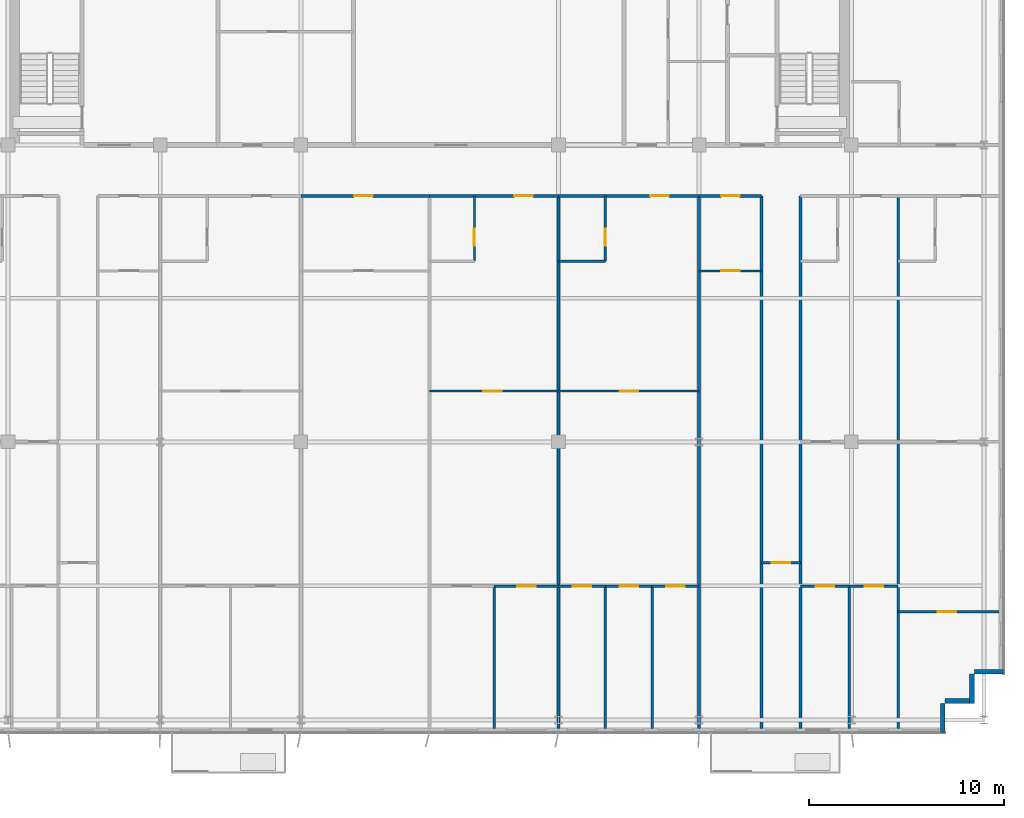
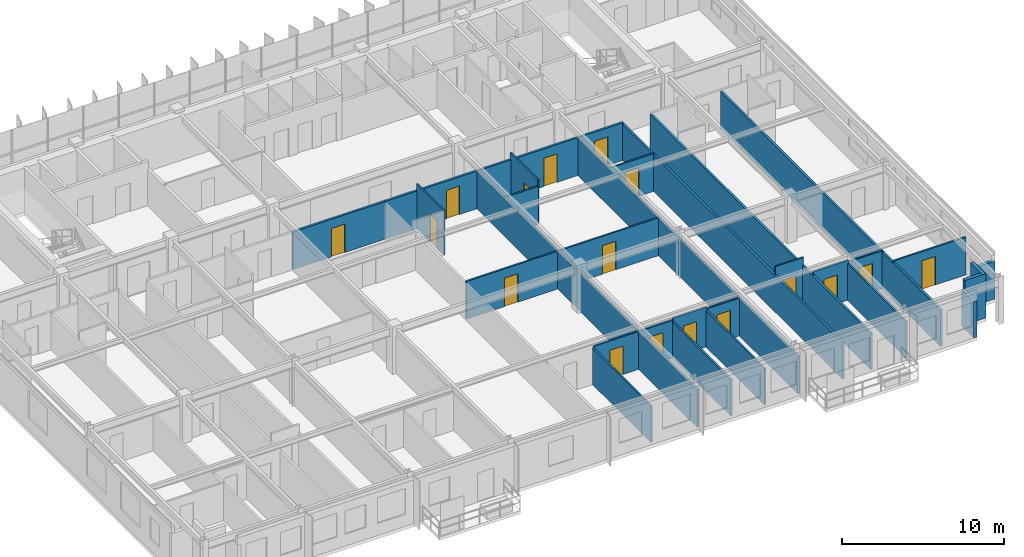
# One storey, part 16 of 21: 31 walls, 17 doors, 17 openings.
"""IFC4 building model written with IfcOpenShell, lengths in metres."""

from ifc_helpers import new_model, si_unit, direction, frame, frame_2d, origin, place, context, subcontext, project, spatial, rectangle, extrude, source, transform, mapped, material, layer, layer_set, type_object, element, fill, save


model = new_model("IFC4")

# Units and contexts
model_context = context("Model", 3, precision=1e-05, world=origin(), true_north=direction((0.0, 1.0)))
body_context = subcontext(model_context, "Body", "Model", "MODEL_VIEW")
ifc_project = project(units=[si_unit("LENGTHUNIT", "METRE"), si_unit("AREAUNIT", "SQUARE_METRE"), si_unit("VOLUMEUNIT", "CUBIC_METRE"), si_unit("PLANEANGLEUNIT", "RADIAN"), si_unit("MASSUNIT", "GRAM", prefix="KILO")], contexts=[model_context])

# Site, building, storey
site_placement = place(None, origin())
site = spatial("IfcSite", under=ifc_project, at=site_placement, CompositionType="ELEMENT")
building_placement = place(site_placement, origin())
building = spatial("IfcBuilding", under=site, at=building_placement, Name="Trelvane Seafront Commons", CompositionType="ELEMENT")
storey_placement = place(building_placement, frame((0.0, 0.0, 135.699951171875)))
storey = spatial("IfcBuildingStorey", under=building, at=storey_placement, Name="L35", CompositionType="ELEMENT", Elevation=135.699951171875)

# Walls
ifc_material_1 = material(Name="Precast concrete C40/50", Category="concrete")
ifc_layer_1 = layer(ifc_material_1, 0.239990234375, Name="ARCH-WALL-EXT240")
ifc_layer_set_1 = layer_set([ifc_layer_1], Name="Precast concrete C40/50")
wall_type_1 = type_object("IfcWallType", Name="ARCH-WALL-EXT240", PredefinedType="SOLIDWALL", material=ifc_layer_set_1)
wall_1_placement = place(storey_placement, frame((66.60009765625, 6.419921875, 0.0), z_axis=(0.0, 0.0, 1.0), x_axis=(-1.0, 0.0, 0.0)))
element("IfcWall", 1, at=wall_1_placement, inside=storey, type_object=wall_type_1, Name="EW-L35-00689", PredefinedType="SOLIDWALL", context=body_context, shape_type="SweptSolid", body=[
    extrude(rectangle(XDim=1.5, YDim=0.239990234375, at=frame_2d((0.75, 0.0))), origin(), (0.0, 0.0, 1.0), 2.85009765625),
])
for number, where, z_axis, x_axis, name in (
    (2, (64.97998046875, 6.300048828125, 0.0), (0.0, 0.0, 1.0), (0.0, -1.0, 0.0), "EW-L35-00690"),
    (3, (65.10009765625, 4.919921875, 0.0), (0.0, 0.0, 1.0), (-1.0, 0.0, 0.0), "EW-L35-00691"),
):
    element("IfcWall", number, at=place(storey_placement, frame(where, z_axis=z_axis, x_axis=x_axis)), inside=storey, type_object=wall_type_1, Name=name, PredefinedType="SOLIDWALL", context=body_context, shape_type="SweptSolid", body=[
        extrude(rectangle(XDim=1.5, YDim=0.239990234375, at=frame_2d((0.75, 0.0))), origin(), (0.0, 0.0, 1.0), 3.35009765625),
    ])
wall_2_placement = place(storey_placement, frame((63.47998046875, 4.800048828125, 0.0), z_axis=(0.0, 0.0, 1.0), x_axis=(0.0, -1.0, 0.0)))
element("IfcWall", 4, at=wall_2_placement, inside=storey, type_object=wall_type_1, Name="EW-L35-00692", PredefinedType="SOLIDWALL", context=body_context, shape_type="SweptSolid", body=[
    extrude(rectangle(XDim=1.5, YDim=0.239990234375, at=frame_2d((0.75, 0.0))), origin(), (0.0, 0.0, 1.0), 2.75),
])

# Wall, opening, door
ifc_material_2 = material(Name="Gypsum Drywall Acoustic Partition")
ifc_layer_2 = layer(ifc_material_2, 0.1201171875, Name="ARCH-WALL-PART120")
ifc_layer_set_2 = layer_set([ifc_layer_2], Name="Gypsum Drywall Acoustic Partition")
wall_type_2 = type_object("IfcWallType", Name="ARCH-WALL-PART120", PredefinedType="PARTITIONING", material=ifc_layer_set_2)
wall_3_placement = place(storey_placement, frame((37.199951171875, 20.800048828125, 0.0), z_axis=(0.0, 0.0, 1.0), x_axis=(1.0, 0.0, 0.0)))
wall_3 = element("IfcWall", 5, at=wall_3_placement, inside=storey, type_object=wall_type_2, Name="W-L35-U7-KL-084", PredefinedType="PARTITIONING", context=body_context, shape_type="SweptSolid", body=[
    extrude(rectangle(XDim=6.60009765625, YDim=0.1201171875, at=frame_2d((3.300048828125, 0.0))), origin(), (0.0, 0.0, 1.0), 2.85009765625),
])
opening_1_placement = place(wall_3_placement, frame((2.73388671875, 0.0, 0.0)))
opening_1 = element("IfcOpeningElement", 6, at=opening_1_placement, cuts=wall_3, Name="Opening D-L35-50", PredefinedType="OPENING", context=body_context, shape_type="SweptSolid", body=[
    extrude(rectangle(XDim=0.949951171875, YDim=2.14990234375, at=frame_2d((0.47509765625, 1.074951171875))), frame((0.0, 0.070068359375, 0.0), z_axis=(0.0, -1.0, 0.0), x_axis=(1.0, 0.0, 0.0)), (0.0, 0.0, 1.0), 0.14013671875),
])
ifc_material_3 = material(Name="Acoustic timber door leaf", Category="wood")
door_type_1 = type_object("IfcDoorType", Name="ARCH-DR-INT950", OperationType="NOTDEFINED", PredefinedType="DOOR", material=ifc_material_3)
shared_shape_1 = source(origin(), body_context, "Body", "SweptSolid", [
    extrude(rectangle(XDim=0.949951171875, YDim=2.14990234375, at=frame_2d((0.47509765625, 1.074951171875))), frame((0.0, 0.02490234375, 0.0), z_axis=(0.0, -1.0, 0.0), x_axis=(1.0, 0.0, 0.0)), (0.0, 0.0, 1.0), 0.050048828125),
])
door_1_placement = place(opening_1_placement, origin())
door_1 = element("IfcDoor", 7, at=door_1_placement, inside=storey, type_object=door_type_1, Name="L35 Door 50", OperationType="SINGLE_SWING_RIGHT", OverallHeight=2.14990234375, OverallWidth=0.949951171875, PredefinedType="DOOR", context=body_context, shape_type="MappedRepresentation", body=[
    mapped(shared_shape_1, transform((0.0, 0.0, 0.0), x_axis=(1.0, 0.0, 0.0), y_axis=(0.0, 1.0, 0.0), z_axis=(0.0, 0.0, 1.0), scale=1.0)),
])
fill(opening_1, door_1)

wall_4_placement = place(storey_placement, frame((39.493896484375, 27.449951171875, 0.0), z_axis=(0.0, 0.0, 1.0), x_axis=(0.0, 1.0, 0.0)))
wall_4 = element("IfcWall", 8, at=wall_4_placement, inside=storey, type_object=wall_type_2, Name="W-L35-U7-BE-085", PredefinedType="PARTITIONING", context=body_context, shape_type="SweptSolid", body=[
    extrude(rectangle(XDim=3.35009765625, YDim=0.1201171875, at=frame_2d((1.675048828125, 0.0))), origin(), (0.0, 0.0, 1.0), 3.35009765625),
])
opening_2_placement = place(wall_4_placement, frame((0.800048828125, 0.0, 0.0)))
opening_2 = element("IfcOpeningElement", 9, at=opening_2_placement, cuts=wall_4, Name="Opening D-L35-51", PredefinedType="OPENING", context=body_context, shape_type="SweptSolid", body=[
    extrude(rectangle(XDim=0.85009765625, YDim=2.10009765625, at=frame_2d((0.425048828125, 1.050048828125))), frame((0.0, 0.070068359375, 0.0), z_axis=(0.0, -1.0, 0.0), x_axis=(1.0, 0.0, 0.0)), (0.0, 0.0, 1.0), 0.14013671875),
])
door_type_2 = type_object("IfcDoorType", Name="ARCH-DR-INT850", OperationType="NOTDEFINED", PredefinedType="DOOR", material=ifc_material_3)
shared_shape_2 = source(origin(), body_context, "Body", "SweptSolid", [
    extrude(rectangle(XDim=0.85009765625, YDim=2.10009765625, at=frame_2d((0.425048828125, 1.050048828125))), frame((0.0, 0.02490234375, 0.0), z_axis=(0.0, -1.0, 0.0), x_axis=(1.0, 0.0, 0.0)), (0.0, 0.0, 1.0), 0.050048828125),
])
door_2_placement = place(opening_2_placement, origin())
door_2 = element("IfcDoor", 10, at=door_2_placement, inside=storey, type_object=door_type_2, Name="L35 Door 51", OperationType="SINGLE_SWING_LEFT", OverallHeight=2.10009765625, OverallWidth=0.85009765625, PredefinedType="DOOR", context=body_context, shape_type="MappedRepresentation", body=[
    mapped(shared_shape_2, transform((0.0, 0.0, 0.0), x_axis=(1.0, 0.0, 0.0), y_axis=(0.0, 1.0, 0.0), z_axis=(0.0, 0.0, 1.0), scale=1.0)),
])
fill(opening_2, door_2)

wall_5_placement = place(storey_placement, frame((40.5, 10.800048828125, 0.0), z_axis=(0.0, 0.0, 1.0), x_axis=(1.0, 0.0, 0.0)))
wall_5 = element("IfcWall", 11, at=wall_5_placement, inside=storey, type_object=wall_type_2, Name="W-L35-U7-YM-2-089", PredefinedType="PARTITIONING", context=body_context, shape_type="SweptSolid", body=[
    extrude(rectangle(XDim=3.300048828125, YDim=0.1201171875, at=frame_2d((1.64990234375, 0.0))), origin(), (0.0, 0.0, 1.0), 2.85009765625),
])
opening_3_placement = place(wall_5_placement, frame((1.175048828125, 0.0, 0.0)))
opening_3 = element("IfcOpeningElement", 12, at=opening_3_placement, cuts=wall_5, Name="Opening D-L35-54", PredefinedType="OPENING", context=body_context, shape_type="SweptSolid", body=[
    extrude(rectangle(XDim=0.949951171875, YDim=2.14990234375, at=frame_2d((0.47509765625, 1.074951171875))), frame((0.0, 0.070068359375, 0.0), z_axis=(0.0, -1.0, 0.0), x_axis=(1.0, 0.0, 0.0)), (0.0, 0.0, 1.0), 0.14013671875),
])
door_3_placement = place(opening_3_placement, origin())
door_3 = element("IfcDoor", 13, at=door_3_placement, inside=storey, type_object=door_type_1, Name="L35 Door 54", OperationType="SINGLE_SWING_RIGHT", OverallHeight=2.14990234375, OverallWidth=0.949951171875, PredefinedType="DOOR", context=body_context, shape_type="MappedRepresentation", body=[
    mapped(shared_shape_1, transform((0.0, 0.0, 0.0), x_axis=(1.0, 0.0, 0.0), y_axis=(0.0, 1.0, 0.0), z_axis=(0.0, 0.0, 1.0), scale=1.0)),
])
fill(opening_3, door_3)

# Wall
wall_6_placement = place(storey_placement, frame((40.5, 3.52490234375, 0.0), z_axis=(0.0, 0.0, 1.0), x_axis=(0.0, 1.0, 0.0)))
element("IfcWall", 14, at=wall_6_placement, inside=storey, type_object=wall_type_2, Name="W-L35-U7-BDV-1-090", PredefinedType="PARTITIONING", context=body_context, shape_type="SweptSolid", body=[
    extrude(rectangle(XDim=7.275146484375, YDim=0.1201171875, at=frame_2d((3.6376953125, 0.0))), origin(), (0.0, 0.0, 1.0), 2.75),
])

# Wall, opening, door
wall_7_placement = place(storey_placement, frame((43.800048828125, 20.800048828125, 0.0), z_axis=(0.0, 0.0, 1.0), x_axis=(1.0, 0.0, 0.0)))
wall_7 = element("IfcWall", 15, at=wall_7_placement, inside=storey, type_object=wall_type_2, Name="W-L35-U8-KL-091", PredefinedType="PARTITIONING", context=body_context, shape_type="SweptSolid", body=[
    extrude(rectangle(XDim=7.199951171875, YDim=0.1201171875, at=frame_2d((3.60009765625, 0.0))), origin(), (0.0, 0.0, 1.0), 2.85009765625),
])
opening_4_placement = place(wall_7_placement, frame((3.125, 0.0, 0.0)))
opening_4 = element("IfcOpeningElement", 16, at=opening_4_placement, cuts=wall_7, Name="Opening D-L35-55", PredefinedType="OPENING", context=body_context, shape_type="SweptSolid", body=[
    extrude(rectangle(XDim=0.949951171875, YDim=2.14990234375, at=frame_2d((0.47509765625, 1.074951171875))), frame((0.0, 0.070068359375, 0.0), z_axis=(0.0, -1.0, 0.0), x_axis=(1.0, 0.0, 0.0)), (0.0, 0.0, 1.0), 0.14013671875),
])
door_4_placement = place(opening_4_placement, origin())
door_4 = element("IfcDoor", 17, at=door_4_placement, inside=storey, type_object=door_type_1, Name="L35 Door 55", OperationType="SINGLE_SWING_LEFT", OverallHeight=2.14990234375, OverallWidth=0.949951171875, PredefinedType="DOOR", context=body_context, shape_type="MappedRepresentation", body=[
    mapped(shared_shape_1, transform((0.0, 0.0, 0.0), x_axis=(1.0, 0.0, 0.0), y_axis=(0.0, 1.0, 0.0), z_axis=(0.0, 0.0, 1.0), scale=1.0)),
])
fill(opening_4, door_4)

wall_8_placement = place(storey_placement, frame((46.199951171875, 27.449951171875, 0.0), z_axis=(0.0, 0.0, 1.0), x_axis=(0.0, 1.0, 0.0)))
wall_8 = element("IfcWall", 18, at=wall_8_placement, inside=storey, type_object=wall_type_2, Name="W-L35-U8-BE-092", PredefinedType="PARTITIONING", context=body_context, shape_type="SweptSolid", body=[
    extrude(rectangle(XDim=3.35009765625, YDim=0.1201171875, at=frame_2d((1.675048828125, 0.0))), origin(), (0.0, 0.0, 1.0), 3.35009765625),
])
opening_5_placement = place(wall_8_placement, frame((0.800048828125, 0.0, 0.0)))
opening_5 = element("IfcOpeningElement", 19, at=opening_5_placement, cuts=wall_8, Name="Opening D-L35-56", PredefinedType="OPENING", context=body_context, shape_type="SweptSolid", body=[
    extrude(rectangle(XDim=0.85009765625, YDim=2.10009765625, at=frame_2d((0.425048828125, 1.050048828125))), frame((0.0, 0.070068359375, 0.0), z_axis=(0.0, -1.0, 0.0), x_axis=(1.0, 0.0, 0.0)), (0.0, 0.0, 1.0), 0.14013671875),
])
door_5_placement = place(opening_5_placement, origin())
door_5 = element("IfcDoor", 20, at=door_5_placement, inside=storey, type_object=door_type_2, Name="L35 Door 56", OperationType="SINGLE_SWING_RIGHT", OverallHeight=2.10009765625, OverallWidth=0.85009765625, PredefinedType="DOOR", context=body_context, shape_type="MappedRepresentation", body=[
    mapped(shared_shape_2, transform((0.0, 0.0, 0.0), x_axis=(1.0, 0.0, 0.0), y_axis=(0.0, 1.0, 0.0), z_axis=(0.0, 0.0, 1.0), scale=1.0)),
])
fill(opening_5, door_5)

# Wall
wall_9_placement = place(storey_placement, frame((43.800048828125, 27.449951171875, 0.0), z_axis=(0.0, 0.0, 1.0), x_axis=(1.0, 0.0, 0.0)))
element("IfcWall", 21, at=wall_9_placement, inside=storey, type_object=wall_type_2, Name="W-L35-U8-BS-093", PredefinedType="PARTITIONING", context=body_context, shape_type="SweptSolid", body=[
    extrude(rectangle(XDim=2.39990234375, YDim=0.1201171875, at=frame_2d((1.199951171875, 0.0))), origin(), (0.0, 0.0, 1.0), 2.85009765625),
])

# Wall, opening, door
wall_10_placement = place(storey_placement, frame((43.800048828125, 10.800048828125, 0.0), z_axis=(0.0, 0.0, 1.0), x_axis=(1.0, 0.0, 0.0)))
wall_10 = element("IfcWall", 22, at=wall_10_placement, inside=storey, type_object=wall_type_2, Name="W-L35-U8-YM-1-095", PredefinedType="PARTITIONING", context=body_context, shape_type="SweptSolid", body=[
    extrude(rectangle(XDim=2.39990234375, YDim=0.1201171875, at=frame_2d((1.199951171875, 0.0))), origin(), (0.0, 0.0, 1.0), 2.85009765625),
])
opening_6_placement = place(wall_10_placement, frame((0.72509765625, 0.0, 0.0)))
opening_6 = element("IfcOpeningElement", 23, at=opening_6_placement, cuts=wall_10, Name="Opening D-L35-58", PredefinedType="OPENING", context=body_context, shape_type="SweptSolid", body=[
    extrude(rectangle(XDim=0.949951171875, YDim=2.14990234375, at=frame_2d((0.47509765625, 1.074951171875))), frame((0.0, 0.070068359375, 0.0), z_axis=(0.0, -1.0, 0.0), x_axis=(1.0, 0.0, 0.0)), (0.0, 0.0, 1.0), 0.14013671875),
])
door_6_placement = place(opening_6_placement, origin())
door_6 = element("IfcDoor", 24, at=door_6_placement, inside=storey, type_object=door_type_1, Name="L35 Door 58", OperationType="SINGLE_SWING_RIGHT", OverallHeight=2.14990234375, OverallWidth=0.949951171875, PredefinedType="DOOR", context=body_context, shape_type="MappedRepresentation", body=[
    mapped(shared_shape_1, transform((0.0, 0.0, 0.0), x_axis=(1.0, 0.0, 0.0), y_axis=(0.0, 1.0, 0.0), z_axis=(0.0, 0.0, 1.0), scale=1.0)),
])
fill(opening_6, door_6)

wall_11_placement = place(storey_placement, frame((46.199951171875, 10.800048828125, 0.0), z_axis=(0.0, 0.0, 1.0), x_axis=(1.0, 0.0, 0.0)))
wall_11 = element("IfcWall", 25, at=wall_11_placement, inside=storey, type_object=wall_type_2, Name="W-L35-U8-YM-2-096", PredefinedType="PARTITIONING", context=body_context, shape_type="SweptSolid", body=[
    extrude(rectangle(XDim=2.400146484375, YDim=0.1201171875, at=frame_2d((1.2001953125, 0.0))), origin(), (0.0, 0.0, 1.0), 3.0),
])
opening_7_placement = place(wall_11_placement, frame((0.72509765625, 0.0, 0.0)))
opening_7 = element("IfcOpeningElement", 26, at=opening_7_placement, cuts=wall_11, Name="Opening D-L35-59", PredefinedType="OPENING", context=body_context, shape_type="SweptSolid", body=[
    extrude(rectangle(XDim=0.949951171875, YDim=2.14990234375, at=frame_2d((0.47509765625, 1.074951171875))), frame((0.0, 0.070068359375, 0.0), z_axis=(0.0, -1.0, 0.0), x_axis=(1.0, 0.0, 0.0)), (0.0, 0.0, 1.0), 0.14013671875),
])
door_7_placement = place(opening_7_placement, origin())
door_7 = element("IfcDoor", 27, at=door_7_placement, inside=storey, type_object=door_type_1, Name="L35 Door 59", OperationType="SINGLE_SWING_LEFT", OverallHeight=2.14990234375, OverallWidth=0.949951171875, PredefinedType="DOOR", context=body_context, shape_type="MappedRepresentation", body=[
    mapped(shared_shape_1, transform((0.0, 0.0, 0.0), x_axis=(1.0, 0.0, 0.0), y_axis=(0.0, 1.0, 0.0), z_axis=(0.0, 0.0, 1.0), scale=1.0)),
])
fill(opening_7, door_7)

# Wall
wall_12_placement = place(storey_placement, frame((46.199951171875, 3.52490234375, 0.0), z_axis=(0.0, 0.0, 1.0), x_axis=(0.0, 1.0, 0.0)))
element("IfcWall", 28, at=wall_12_placement, inside=storey, type_object=wall_type_2, Name="W-L35-U8-BDV-1-097", PredefinedType="PARTITIONING", context=body_context, shape_type="SweptSolid", body=[
    extrude(rectangle(XDim=7.275146484375, YDim=0.1201171875, at=frame_2d((3.6376953125, 0.0))), origin(), (0.0, 0.0, 1.0), 2.75),
])

# Wall, opening, door
wall_13_placement = place(storey_placement, frame((48.60009765625, 10.800048828125, 0.0), z_axis=(0.0, 0.0, 1.0), x_axis=(1.0, 0.0, 0.0)))
wall_13 = element("IfcWall", 29, at=wall_13_placement, inside=storey, type_object=wall_type_2, Name="W-L35-U8-YM-3-098", PredefinedType="PARTITIONING", context=body_context, shape_type="SweptSolid", body=[
    extrude(rectangle(XDim=2.39990234375, YDim=0.1201171875, at=frame_2d((1.199951171875, 0.0))), origin(), (0.0, 0.0, 1.0), 2.85009765625),
])
opening_8_placement = place(wall_13_placement, frame((0.72509765625, 0.0, 0.0)))
opening_8 = element("IfcOpeningElement", 30, at=opening_8_placement, cuts=wall_13, Name="Opening D-L35-60", PredefinedType="OPENING", context=body_context, shape_type="SweptSolid", body=[
    extrude(rectangle(XDim=0.949951171875, YDim=2.14990234375, at=frame_2d((0.47509765625, 1.074951171875))), frame((0.0, 0.070068359375, 0.0), z_axis=(0.0, -1.0, 0.0), x_axis=(1.0, 0.0, 0.0)), (0.0, 0.0, 1.0), 0.14013671875),
])
door_8_placement = place(opening_8_placement, origin())
door_8 = element("IfcDoor", 31, at=door_8_placement, inside=storey, type_object=door_type_1, Name="L35 Door 60", OperationType="SINGLE_SWING_RIGHT", OverallHeight=2.14990234375, OverallWidth=0.949951171875, PredefinedType="DOOR", context=body_context, shape_type="MappedRepresentation", body=[
    mapped(shared_shape_1, transform((0.0, 0.0, 0.0), x_axis=(1.0, 0.0, 0.0), y_axis=(0.0, 1.0, 0.0), z_axis=(0.0, 0.0, 1.0), scale=1.0)),
])
fill(opening_8, door_8)

# Wall
wall_14_placement = place(storey_placement, frame((48.60009765625, 3.52490234375, 0.0), z_axis=(0.0, 0.0, 1.0), x_axis=(0.0, 1.0, 0.0)))
element("IfcWall", 32, at=wall_14_placement, inside=storey, type_object=wall_type_2, Name="W-L35-U8-BDV-2-099", PredefinedType="PARTITIONING", context=body_context, shape_type="SweptSolid", body=[
    extrude(rectangle(XDim=7.275146484375, YDim=0.1201171875, at=frame_2d((3.6376953125, 0.0))), origin(), (0.0, 0.0, 1.0), 2.75),
])

# Wall, opening, door
wall_15_placement = place(storey_placement, frame((51.0, 26.949951171875, 0.0), z_axis=(0.0, 0.0, 1.0), x_axis=(1.0, 0.0, 0.0)))
wall_15 = element("IfcWall", 33, at=wall_15_placement, inside=storey, type_object=wall_type_2, Name="W-L35-U9-DIV-101", PredefinedType="PARTITIONING", context=body_context, shape_type="SweptSolid", body=[
    extrude(rectangle(XDim=3.199951171875, YDim=0.1201171875, at=frame_2d((1.60009765625, 0.0))), origin(), (0.0, 0.0, 1.0), 2.85009765625),
])
opening_9_placement = place(wall_15_placement, frame((1.125, 0.0, 0.0)))
opening_9 = element("IfcOpeningElement", 34, at=opening_9_placement, cuts=wall_15, Name="Opening D-L35-62", PredefinedType="OPENING", context=body_context, shape_type="SweptSolid", body=[
    extrude(rectangle(XDim=0.949951171875, YDim=2.14990234375, at=frame_2d((0.47509765625, 1.074951171875))), frame((0.0, 0.070068359375, 0.0), z_axis=(0.0, -1.0, 0.0), x_axis=(1.0, 0.0, 0.0)), (0.0, 0.0, 1.0), 0.14013671875),
])
door_9_placement = place(opening_9_placement, origin())
door_9 = element("IfcDoor", 35, at=door_9_placement, inside=storey, type_object=door_type_1, Name="L35 Door 62", OperationType="SINGLE_SWING_RIGHT", OverallHeight=2.14990234375, OverallWidth=0.949951171875, PredefinedType="DOOR", context=body_context, shape_type="MappedRepresentation", body=[
    mapped(shared_shape_1, transform((0.0, 0.0, 0.0), x_axis=(1.0, 0.0, 0.0), y_axis=(0.0, 1.0, 0.0), z_axis=(0.0, 0.0, 1.0), scale=1.0)),
])
fill(opening_9, door_9)

wall_16_placement = place(storey_placement, frame((54.199951171875, 12.0, 0.0), z_axis=(0.0, 0.0, 1.0), x_axis=(1.0, 0.0, 0.0)))
wall_16 = element("IfcWall", 36, at=wall_16_placement, inside=storey, type_object=wall_type_2, Name="W-L35-ARM-END-10-104", PredefinedType="PARTITIONING", context=body_context, shape_type="SweptSolid", body=[
    extrude(rectangle(XDim=2.0, YDim=0.1201171875, at=frame_2d((1.0, 0.0))), origin(), (0.0, 0.0, 1.0), 3.35009765625),
])
opening_10_placement = place(wall_16_placement, frame((0.52001953125, 0.0, 0.0)))
opening_10 = element("IfcOpeningElement", 37, at=opening_10_placement, cuts=wall_16, Name="Opening D-L35-63", PredefinedType="OPENING", context=body_context, shape_type="SweptSolid", body=[
    extrude(rectangle(XDim=0.949951171875, YDim=2.14990234375, at=frame_2d((0.47509765625, 1.074951171875))), frame((0.0, 0.070068359375, 0.0), z_axis=(0.0, -1.0, 0.0), x_axis=(1.0, 0.0, 0.0)), (0.0, 0.0, 1.0), 0.14013671875),
])
door_10_placement = place(opening_10_placement, origin())
door_10 = element("IfcDoor", 38, at=door_10_placement, inside=storey, type_object=door_type_1, Name="L35 Door 63", OperationType="SINGLE_SWING_LEFT", OverallHeight=2.14990234375, OverallWidth=0.949951171875, PredefinedType="DOOR", context=body_context, shape_type="MappedRepresentation", body=[
    mapped(shared_shape_1, transform((0.0, 0.0, 0.0), x_axis=(1.0, 0.0, 0.0), y_axis=(0.0, 1.0, 0.0), z_axis=(0.0, 0.0, 1.0), scale=1.0)),
])
fill(opening_10, door_10)

wall_17_placement = place(storey_placement, frame((56.199951171875, 10.800048828125, 0.0), z_axis=(0.0, 0.0, 1.0), x_axis=(1.0, 0.0, 0.0)))
wall_17 = element("IfcWall", 39, at=wall_17_placement, inside=storey, type_object=wall_type_2, Name="W-L35-U11-YM-1-109", PredefinedType="PARTITIONING", context=body_context, shape_type="SweptSolid", body=[
    extrude(rectangle(XDim=2.5, YDim=0.1201171875, at=frame_2d((1.25, 0.0))), origin(), (0.0, 0.0, 1.0), 3.0),
])
opening_11_placement = place(wall_17_placement, frame((0.77490234375, 0.0, 0.0)))
opening_11 = element("IfcOpeningElement", 40, at=opening_11_placement, cuts=wall_17, Name="Opening D-L35-67", PredefinedType="OPENING", context=body_context, shape_type="SweptSolid", body=[
    extrude(rectangle(XDim=0.949951171875, YDim=2.14990234375, at=frame_2d((0.47509765625, 1.074951171875))), frame((0.0, 0.070068359375, 0.0), z_axis=(0.0, -1.0, 0.0), x_axis=(1.0, 0.0, 0.0)), (0.0, 0.0, 1.0), 0.14013671875),
])
door_11_placement = place(opening_11_placement, origin())
door_11 = element("IfcDoor", 41, at=door_11_placement, inside=storey, type_object=door_type_1, Name="L35 Door 67", OperationType="SINGLE_SWING_LEFT", OverallHeight=2.14990234375, OverallWidth=0.949951171875, PredefinedType="DOOR", context=body_context, shape_type="MappedRepresentation", body=[
    mapped(shared_shape_1, transform((0.0, 0.0, 0.0), x_axis=(1.0, 0.0, 0.0), y_axis=(0.0, 1.0, 0.0), z_axis=(0.0, 0.0, 1.0), scale=1.0)),
])
fill(opening_11, door_11)

wall_18_placement = place(storey_placement, frame((58.699951171875, 10.800048828125, 0.0), z_axis=(0.0, 0.0, 1.0), x_axis=(1.0, 0.0, 0.0)))
wall_18 = element("IfcWall", 42, at=wall_18_placement, inside=storey, type_object=wall_type_2, Name="W-L35-U11-YM-2-110", PredefinedType="PARTITIONING", context=body_context, shape_type="SweptSolid", body=[
    extrude(rectangle(XDim=2.5, YDim=0.1201171875, at=frame_2d((1.25, 0.0))), origin(), (0.0, 0.0, 1.0), 2.85009765625),
])
opening_12_placement = place(wall_18_placement, frame((0.77490234375, 0.0, 0.0)))
opening_12 = element("IfcOpeningElement", 43, at=opening_12_placement, cuts=wall_18, Name="Opening D-L35-68", PredefinedType="OPENING", context=body_context, shape_type="SweptSolid", body=[
    extrude(rectangle(XDim=0.949951171875, YDim=2.14990234375, at=frame_2d((0.47509765625, 1.074951171875))), frame((0.0, 0.070068359375, 0.0), z_axis=(0.0, -1.0, 0.0), x_axis=(1.0, 0.0, 0.0)), (0.0, 0.0, 1.0), 0.14013671875),
])
door_12_placement = place(opening_12_placement, origin())
door_12 = element("IfcDoor", 44, at=door_12_placement, inside=storey, type_object=door_type_1, Name="L35 Door 68", OperationType="SINGLE_SWING_RIGHT", OverallHeight=2.14990234375, OverallWidth=0.949951171875, PredefinedType="DOOR", context=body_context, shape_type="MappedRepresentation", body=[
    mapped(shared_shape_1, transform((0.0, 0.0, 0.0), x_axis=(1.0, 0.0, 0.0), y_axis=(0.0, 1.0, 0.0), z_axis=(0.0, 0.0, 1.0), scale=1.0)),
])
fill(opening_12, door_12)

# Wall
wall_19_placement = place(storey_placement, frame((58.699951171875, 3.52490234375, 0.0), z_axis=(0.0, 0.0, 1.0), x_axis=(0.0, 1.0, 0.0)))
element("IfcWall", 45, at=wall_19_placement, inside=storey, type_object=wall_type_2, Name="W-L35-U11-BDV-1-111", PredefinedType="PARTITIONING", context=body_context, shape_type="SweptSolid", body=[
    extrude(rectangle(XDim=7.275146484375, YDim=0.1201171875, at=frame_2d((3.6376953125, 0.0))), origin(), (0.0, 0.0, 1.0), 2.75),
])

# Wall, opening, door
wall_20_placement = place(storey_placement, frame((61.199951171875, 9.5, 0.0), z_axis=(0.0, 0.0, 1.0), x_axis=(1.0, 0.0, 0.0)))
wall_20 = element("IfcWall", 46, at=wall_20_placement, inside=storey, type_object=wall_type_2, Name="W-L35-U12-YM-1-116", PredefinedType="PARTITIONING", context=body_context, shape_type="SweptSolid", body=[
    extrude(rectangle(XDim=5.16015625, YDim=0.1201171875, at=frame_2d((2.580078125, 0.0))), origin(), (0.0, 0.0, 1.0), 2.85009765625),
])
opening_13_placement = place(wall_20_placement, frame((2.013916015625, 0.0, 0.0)))
opening_13 = element("IfcOpeningElement", 47, at=opening_13_placement, cuts=wall_20, Name="Opening D-L35-72", PredefinedType="OPENING", context=body_context, shape_type="SweptSolid", body=[
    extrude(rectangle(XDim=0.949951171875, YDim=2.14990234375, at=frame_2d((0.47509765625, 1.074951171875))), frame((0.0, 0.070068359375, 0.0), z_axis=(0.0, -1.0, 0.0), x_axis=(1.0, 0.0, 0.0)), (0.0, 0.0, 1.0), 0.14013671875),
])
door_13_placement = place(opening_13_placement, origin())
door_13 = element("IfcDoor", 48, at=door_13_placement, inside=storey, type_object=door_type_1, Name="L35 Door 72", OperationType="SINGLE_SWING_RIGHT", OverallHeight=2.14990234375, OverallWidth=0.949951171875, PredefinedType="DOOR", context=body_context, shape_type="MappedRepresentation", body=[
    mapped(shared_shape_1, transform((0.0, 0.0, 0.0), x_axis=(1.0, 0.0, 0.0), y_axis=(0.0, 1.0, 0.0), z_axis=(0.0, 0.0, 1.0), scale=1.0)),
])
fill(opening_13, door_13)

# Walls
ifc_layer_3 = layer(ifc_material_2, 0.14990234375, Name="ARCH-WALL-PART150")
ifc_layer_set_3 = layer_set([ifc_layer_3], Name="Gypsum Drywall Acoustic Partition")
wall_type_3 = type_object("IfcWallType", Name="ARCH-WALL-PART150", PredefinedType="PARTITIONING", material=ifc_layer_set_3)
for number, where, z_axis, x_axis, name in (
    (49, (43.800048828125, 3.52490234375, 0.0), (0.0, 0.0, 1.0), (0.0, 1.0, 0.0), "W-L35-PW-7-055"),
    (50, (51.0, 3.52490234375, 0.0), (0.0, 0.0, 1.0), (0.0, 1.0, 0.0), "W-L35-PW-8-056"),
):
    element("IfcWall", number, at=place(storey_placement, frame(where, z_axis=z_axis, x_axis=x_axis)), inside=storey, type_object=wall_type_3, Name=name, PredefinedType="PARTITIONING", context=body_context, shape_type="SweptSolid", body=[
        extrude(rectangle(XDim=27.275146484375, YDim=0.14990234375, at=frame_2d((13.6376953125, 0.0))), origin(), (0.0, 0.0, 1.0), 2.85009765625),
    ])
wall_21_placement = place(storey_placement, frame((61.199951171875, 3.52490234375, 0.0), z_axis=(0.0, 0.0, 1.0), x_axis=(0.0, 1.0, 0.0)))
element("IfcWall", 51, at=wall_21_placement, inside=storey, type_object=wall_type_3, Name="W-L35-PW-11-057", PredefinedType="PARTITIONING", context=body_context, shape_type="SweptSolid", body=[
    extrude(rectangle(XDim=27.275146484375, YDim=0.14990234375, at=frame_2d((13.6376953125, 0.0))), origin(), (0.0, 0.0, 1.0), 2.75),
])

# Wall, opening, door
wall_22_placement = place(storey_placement, frame((30.60009765625, 30.800048828125, 0.0), z_axis=(0.0, 0.0, 1.0), x_axis=(1.0, 0.0, 0.0)))
wall_22 = element("IfcWall", 52, at=wall_22_placement, inside=storey, type_object=wall_type_3, Name="W-L35-CS-BAY-6-082", PredefinedType="PARTITIONING", context=body_context, shape_type="SweptSolid", body=[
    extrude(rectangle(XDim=6.599853515625, YDim=0.14990234375, at=frame_2d((3.2998046875, 0.0))), origin(), (0.0, 0.0, 1.0), 2.85009765625),
])
opening_14_placement = place(wall_22_placement, frame((2.73388671875, 0.0, 0.0)))
opening_14 = element("IfcOpeningElement", 53, at=opening_14_placement, cuts=wall_22, Name="Opening FD-L35-48", PredefinedType="OPENING", context=body_context, shape_type="SweptSolid", body=[
    extrude(rectangle(XDim=0.949951171875, YDim=2.14990234375, at=frame_2d((0.47509765625, 1.074951171875))), frame((0.0, 0.0849609375, 0.0), z_axis=(0.0, -1.0, 0.0), x_axis=(1.0, 0.0, 0.0)), (0.0, 0.0, 1.0), 0.169921875),
])
ifc_material_4 = material(Name="Powder-coated aluminium frame", Category="aluminium")
door_type_3 = type_object("IfcDoorType", Name="ARCH-DR-FD60-950", OperationType="NOTDEFINED", PredefinedType="DOOR", material=ifc_material_4)
door_14_placement = place(opening_14_placement, origin())
door_14 = element("IfcDoor", 54, at=door_14_placement, inside=storey, type_object=door_type_3, Name="L35 Bay 06 Entrance Door", OperationType="SINGLE_SWING_RIGHT", OverallHeight=2.14990234375, OverallWidth=0.949951171875, PredefinedType="DOOR", context=body_context, shape_type="MappedRepresentation", body=[
    mapped(shared_shape_1, transform((0.0, 0.0, 0.0), x_axis=(1.0, 0.0, 0.0), y_axis=(0.0, 1.0, 0.0), z_axis=(0.0, 0.0, 1.0), scale=1.0)),
])
fill(opening_14, door_14)

wall_23_placement = place(storey_placement, frame((37.199951171875, 30.800048828125, 0.0), z_axis=(0.0, 0.0, 1.0), x_axis=(1.0, 0.0, 0.0)))
wall_23 = element("IfcWall", 55, at=wall_23_placement, inside=storey, type_object=wall_type_3, Name="W-L35-CS-BAY-7-087", PredefinedType="PARTITIONING", context=body_context, shape_type="SweptSolid", body=[
    extrude(rectangle(XDim=6.60009765625, YDim=0.14990234375, at=frame_2d((3.300048828125, 0.0))), origin(), (0.0, 0.0, 1.0), 2.85009765625),
])
opening_15_placement = place(wall_23_placement, frame((4.3369140625, 0.0, 0.0)))
opening_15 = element("IfcOpeningElement", 56, at=opening_15_placement, cuts=wall_23, Name="Opening FD-L35-52", PredefinedType="OPENING", context=body_context, shape_type="SweptSolid", body=[
    extrude(rectangle(XDim=0.949951171875, YDim=2.14990234375, at=frame_2d((0.47509765625, 1.074951171875))), frame((0.0, 0.0849609375, 0.0), z_axis=(0.0, -1.0, 0.0), x_axis=(1.0, 0.0, 0.0)), (0.0, 0.0, 1.0), 0.169921875),
])
door_15_placement = place(opening_15_placement, origin())
door_15 = element("IfcDoor", 57, at=door_15_placement, inside=storey, type_object=door_type_3, Name="L35 Unit 07 Entrance Door", OperationType="SINGLE_SWING_RIGHT", OverallHeight=2.14990234375, OverallWidth=0.949951171875, PredefinedType="DOOR", context=body_context, shape_type="MappedRepresentation", body=[
    mapped(shared_shape_1, transform((0.0, 0.0, 0.0), x_axis=(1.0, 0.0, 0.0), y_axis=(0.0, 1.0, 0.0), z_axis=(0.0, 0.0, 1.0), scale=1.0)),
])
fill(opening_15, door_15)

wall_24_placement = place(storey_placement, frame((43.800048828125, 30.800048828125, 0.0), z_axis=(0.0, 0.0, 1.0), x_axis=(1.0, 0.0, 0.0)))
wall_24 = element("IfcWall", 58, at=wall_24_placement, inside=storey, type_object=wall_type_3, Name="W-L35-CS-BAY-8-094", PredefinedType="PARTITIONING", context=body_context, shape_type="SweptSolid", body=[
    extrude(rectangle(XDim=7.199951171875, YDim=0.14990234375, at=frame_2d((3.60009765625, 0.0))), origin(), (0.0, 0.0, 1.0), 2.85009765625),
])
opening_16_placement = place(wall_24_placement, frame((4.7060546875, 0.0, 0.0)))
opening_16 = element("IfcOpeningElement", 59, at=opening_16_placement, cuts=wall_24, Name="Opening FD-L35-57", PredefinedType="OPENING", context=body_context, shape_type="SweptSolid", body=[
    extrude(rectangle(XDim=0.949951171875, YDim=2.14990234375, at=frame_2d((0.47509765625, 1.074951171875))), frame((0.0, 0.0849609375, 0.0), z_axis=(0.0, -1.0, 0.0), x_axis=(1.0, 0.0, 0.0)), (0.0, 0.0, 1.0), 0.169921875),
])
door_16_placement = place(opening_16_placement, origin())
door_16 = element("IfcDoor", 60, at=door_16_placement, inside=storey, type_object=door_type_3, Name="L35 Unit 08 Entrance Door", OperationType="SINGLE_SWING_LEFT", OverallHeight=2.14990234375, OverallWidth=0.949951171875, PredefinedType="DOOR", context=body_context, shape_type="MappedRepresentation", body=[
    mapped(shared_shape_1, transform((0.0, 0.0, 0.0), x_axis=(1.0, 0.0, 0.0), y_axis=(0.0, 1.0, 0.0), z_axis=(0.0, 0.0, 1.0), scale=1.0)),
])
fill(opening_16, door_16)

wall_25_placement = place(storey_placement, frame((51.0, 30.800048828125, 0.0), z_axis=(0.0, 0.0, 1.0), x_axis=(1.0, 0.0, 0.0)))
wall_25 = element("IfcWall", 61, at=wall_25_placement, inside=storey, type_object=wall_type_3, Name="W-L35-CS-BAY-9-100", PredefinedType="PARTITIONING", context=body_context, shape_type="SweptSolid", body=[
    extrude(rectangle(XDim=3.199951171875, YDim=0.14990234375, at=frame_2d((1.60009765625, 0.0))), origin(), (0.0, 0.0, 1.0), 2.85009765625),
])
opening_17_placement = place(wall_25_placement, frame((1.125, 0.0, 0.0)))
opening_17 = element("IfcOpeningElement", 62, at=opening_17_placement, cuts=wall_25, Name="Opening FD-L35-61", PredefinedType="OPENING", context=body_context, shape_type="SweptSolid", body=[
    extrude(rectangle(XDim=0.949951171875, YDim=2.14990234375, at=frame_2d((0.47509765625, 1.074951171875))), frame((0.0, 0.0849609375, 0.0), z_axis=(0.0, -1.0, 0.0), x_axis=(1.0, 0.0, 0.0)), (0.0, 0.0, 1.0), 0.169921875),
])
door_17_placement = place(opening_17_placement, origin())
door_17 = element("IfcDoor", 63, at=door_17_placement, inside=storey, type_object=door_type_3, Name="L35 Bay 09 Entrance Door", OperationType="SINGLE_SWING_LEFT", OverallHeight=2.14990234375, OverallWidth=0.949951171875, PredefinedType="DOOR", context=body_context, shape_type="MappedRepresentation", body=[
    mapped(shared_shape_1, transform((0.0, 0.0, 0.0), x_axis=(1.0, 0.0, 0.0), y_axis=(0.0, 1.0, 0.0), z_axis=(0.0, 0.0, 1.0), scale=1.0)),
])
fill(opening_17, door_17)

# Walls
for number, where, z_axis, x_axis, name in (
    (64, (54.199951171875, 3.52490234375, 0.0), (0.0, 0.0, 1.0), (0.0, 1.0, 0.0), "W-L35-ARM-W-10-102"),
    (65, (56.199951171875, 3.52490234375, 0.0), (0.0, 0.0, 1.0), (0.0, 1.0, 0.0), "W-L35-ARM-E-10-103"),
):
    element("IfcWall", number, at=place(storey_placement, frame(where, z_axis=z_axis, x_axis=x_axis)), inside=storey, type_object=wall_type_3, Name=name, PredefinedType="PARTITIONING", context=body_context, shape_type="SweptSolid", body=[
        extrude(rectangle(XDim=27.275146484375, YDim=0.14990234375, at=frame_2d((13.6376953125, 0.0))), origin(), (0.0, 0.0, 1.0), 2.75),
    ])

save(model, "model.ifc")
